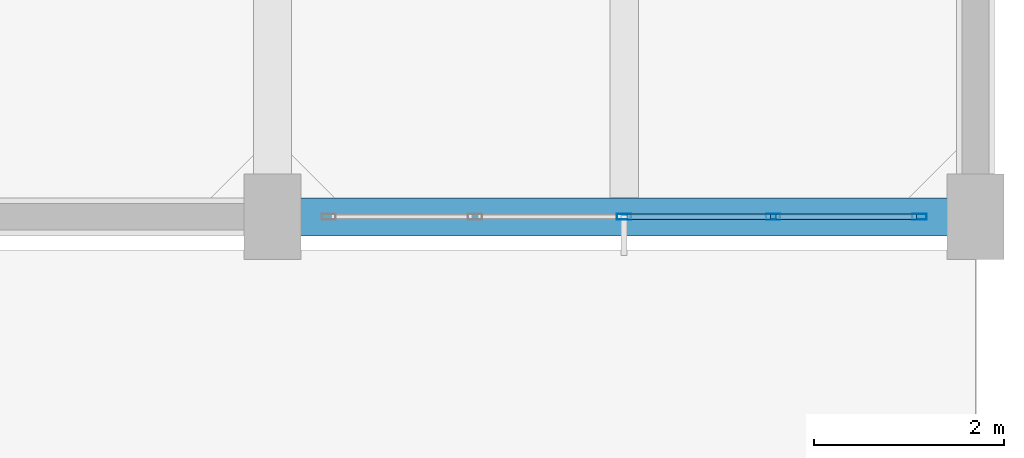
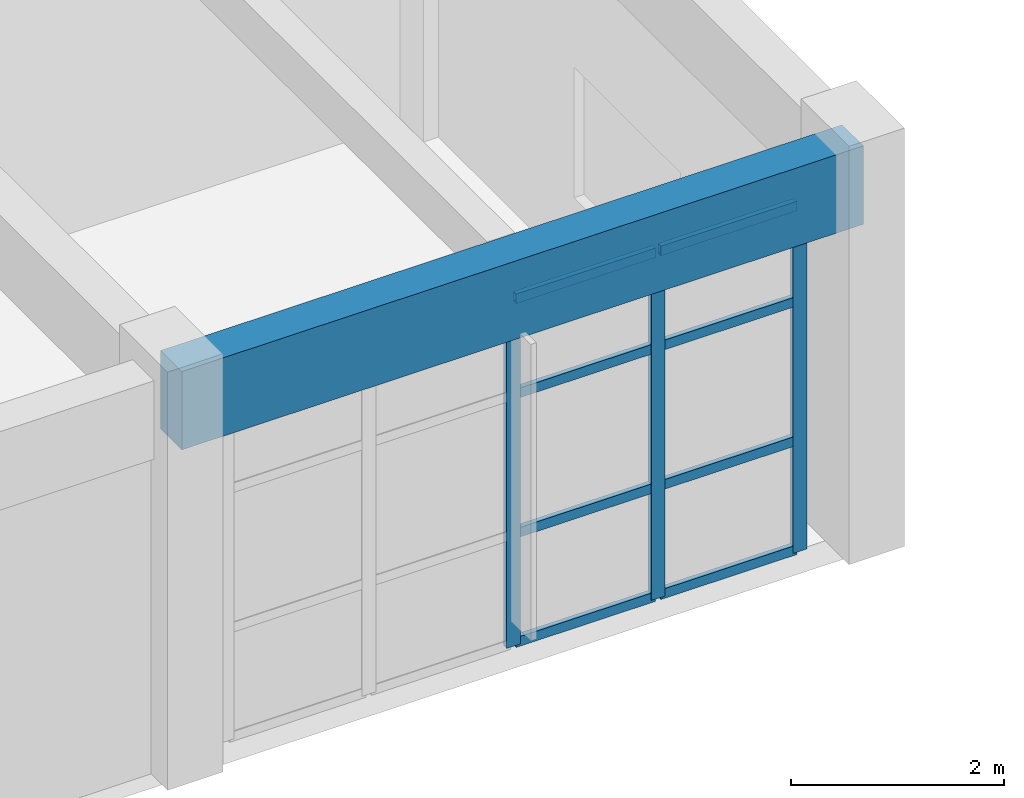
# One storey, part 26 of 63: 11 members, 1 beam, 1 element without a shape of its own.
"""IFC4 building model written with IfcOpenShell, lengths in metres."""

from ifc_helpers import new_model, si_unit, direction, frame, origin, origin_2d, place, context, subcontext, project, spatial, rectangle, hollow_rectangle, extrude, material, layer, layer_set, material_profile, profile_set, type_object, element, aggregate, save


model = new_model("IFC4")

# Units and contexts
model_context = context("Model", 3, precision=1e-05, world=origin(), true_north=direction((0.0, 1.0)))
body_context = subcontext(model_context, "Body", "Model", "MODEL_VIEW")
ifc_project = project(units=[si_unit("LENGTHUNIT", "METRE"), si_unit("AREAUNIT", "SQUARE_METRE"), si_unit("VOLUMEUNIT", "CUBIC_METRE"), si_unit("PLANEANGLEUNIT", "RADIAN"), si_unit("MASSUNIT", "GRAM", prefix="KILO")], contexts=[model_context])

# Site, building, storey
site_placement = place(None, origin())
site = spatial("IfcSite", under=ifc_project, at=site_placement, CompositionType="ELEMENT")
building_placement = place(site_placement, origin())
building = spatial("IfcBuilding", under=site, at=building_placement, Name="Canggui Botanical Conservatory", CompositionType="ELEMENT")
storey_placement = place(building_placement, frame((0.0, 0.0, 10.199951171875)))
storey = spatial("IfcBuildingStorey", under=building, at=storey_placement, Name="L03", CompositionType="ELEMENT", Elevation=10.199951171875)

# Beam
ifc_material_1 = material(Name="Concrete C35", Category="concrete")
ifc_material_profile_1 = material_profile(ifc_material_1, rectangle(XDim=0.39990234375, YDim=0.89990234375, at=origin_2d()), Name="RB 400x900")
ifc_profile_set_1 = profile_set([ifc_material_profile_1], Name="Concrete C35")
beam_type = type_object("IfcBeamType", Name="BM-KL07", PredefinedType="BEAM", material=ifc_profile_set_1)
beam_placement = place(storey_placement, frame((170.0, 26.0, 4.10009765625), z_axis=(1.0, 0.0, 0.0), x_axis=(0.0, 1.0, 0.0)))
element("IfcBeam", 1, at=beam_placement, inside=storey, type_object=beam_type, Name="Frame Girder L03 Y26-5", PredefinedType="BEAM", context=body_context, shape_type="SweptSolid", body=[
    extrude(rectangle(XDim=0.39990234375, YDim=0.89990234375, at=origin_2d()), origin(), (0.0, 0.0, 1.0), 7.39990234375),
])

# Curtain wall, members
ifc_material_2 = material(Name="Thermally Broken Aluminium", Category="aluminium")
ifc_layer = layer(ifc_material_2, 0.14990234375, Name="Thermally Broken Aluminium", Category="aluminium")
ifc_layer_set = layer_set([ifc_layer], Name="Thermally Broken Aluminium")
curtain_wall_type = type_object("IfcCurtainWallType", Name="CW-UNIT-C", PredefinedType="USERDEFINED", material=ifc_layer_set)
curtain_wall_placement = place(storey_placement, origin())
curtain_wall = element("IfcCurtainWall", 2, at=curtain_wall_placement, inside=storey, type_object=curtain_wall_type, Name="Facade Curtain Wall CW-TWR-L03-01", ObjectType="UNITISED CURTAIN WALL", PredefinedType="USERDEFINED")
ifc_material_profile_2 = material_profile(ifc_material_2, hollow_rectangle(XDim=0.06005859375, YDim=0.14990234375, WallThickness=0.00341796875, at=origin_2d()), Name="CWM 60x150x3.5")
ifc_profile_set_2 = profile_set([ifc_material_profile_2], Name="Thermally Broken Aluminium")
member_type_1 = type_object("IfcMemberType", Name="CWM-03", PredefinedType="MULLION", material=ifc_profile_set_2)
member_1_placement = place(storey_placement, frame((176.81005859375, 26.0, 0.0), z_axis=(0.0, 0.0, 1.0), x_axis=(0.0, -1.0, 0.0)))
member_1 = element("IfcMember", 3, at=member_1_placement, type_object=member_type_1, Name="CW-03 mullion 1", PredefinedType="MULLION", context=body_context, shape_type="SweptSolid", body=[
    extrude(hollow_rectangle(XDim=0.06005859375, YDim=0.14990234375, WallThickness=0.00341796875, at=origin_2d()), origin(), (0.0, 0.0, 1.0), 4.0),
])
member_2_placement = place(storey_placement, frame((175.27001953125, 26.0, 0.0), z_axis=(0.0, 0.0, 1.0), x_axis=(0.0, -1.0, 0.0)))
member_2 = element("IfcMember", 4, at=member_2_placement, type_object=member_type_1, Name="CW-03 mullion 2", PredefinedType="MULLION", context=body_context, shape_type="SweptSolid", body=[
    extrude(hollow_rectangle(XDim=0.06005859375, YDim=0.14990234375, WallThickness=0.00341796875, at=origin_2d()), origin(), (0.0, 0.0, 1.0), 4.0),
])
member_3_placement = place(storey_placement, frame((173.699951171875, 26.0, 0.0), z_axis=(0.0, 0.0, 1.0), x_axis=(0.0, -1.0, 0.0)))
member_3 = element("IfcMember", 5, at=member_3_placement, type_object=member_type_1, Name="CW-03 mullion 3", PredefinedType="MULLION", context=body_context, shape_type="SweptSolid", body=[
    extrude(hollow_rectangle(XDim=0.06005859375, YDim=0.14990234375, WallThickness=0.00341796875, at=origin_2d()), origin(), (0.0, 0.0, 1.0), 4.0),
])
ifc_material_profile_3 = material_profile(ifc_material_2, hollow_rectangle(XDim=0.054931640625, YDim=0.110107421875, WallThickness=0.0029296875, at=origin_2d()), Name="CWT 55x110x3")
ifc_profile_set_3 = profile_set([ifc_material_profile_3], Name="Thermally Broken Aluminium")
member_type_2 = type_object("IfcMemberType", Name="CWT-03", PredefinedType="USERDEFINED", material=ifc_profile_set_3)
member_4_placement = place(storey_placement, frame((176.780029296875, 26.0, 0.027587890625), z_axis=(-1.0, 0.0, 0.0), x_axis=(0.0, -1.0, 0.0)))
member_4 = element("IfcMember", 6, at=member_4_placement, type_object=member_type_2, Name="CW-03 transom 1.1", ObjectType="TRANSOM", PredefinedType="USERDEFINED", context=body_context, shape_type="SweptSolid", body=[
    extrude(hollow_rectangle(XDim=0.054931640625, YDim=0.110107421875, WallThickness=0.0029296875, at=origin_2d()), origin(), (0.0, 0.0, 1.0), 1.47998046875),
])
member_5_placement = place(storey_placement, frame((176.780029296875, 26.0, 1.280029296875), z_axis=(-1.0, 0.0, 0.0), x_axis=(0.0, -1.0, 0.0)))
member_5 = element("IfcMember", 7, at=member_5_placement, type_object=member_type_2, Name="CW-03 transom 1.2", ObjectType="TRANSOM", PredefinedType="USERDEFINED", context=body_context, shape_type="SweptSolid", body=[
    extrude(hollow_rectangle(XDim=0.054931640625, YDim=0.110107421875, WallThickness=0.0029296875, at=origin_2d()), origin(), (0.0, 0.0, 1.0), 1.47998046875),
])
member_6_placement = place(storey_placement, frame((176.780029296875, 26.0, 2.880126953125), z_axis=(-1.0, 0.0, 0.0), x_axis=(0.0, -1.0, 0.0)))
member_6 = element("IfcMember", 8, at=member_6_placement, type_object=member_type_2, Name="CW-03 transom 1.3", ObjectType="TRANSOM", PredefinedType="USERDEFINED", context=body_context, shape_type="SweptSolid", body=[
    extrude(hollow_rectangle(XDim=0.054931640625, YDim=0.110107421875, WallThickness=0.0029296875, at=origin_2d()), origin(), (0.0, 0.0, 1.0), 1.47998046875),
])
member_7_placement = place(storey_placement, frame((176.780029296875, 26.0, 3.97265625), z_axis=(-1.0, 0.0, 0.0), x_axis=(0.0, -1.0, 0.0)))
member_7 = element("IfcMember", 9, at=member_7_placement, type_object=member_type_2, Name="CW-03 transom 1.4", ObjectType="TRANSOM", PredefinedType="USERDEFINED", context=body_context, shape_type="SweptSolid", body=[
    extrude(hollow_rectangle(XDim=0.054931640625, YDim=0.110107421875, WallThickness=0.0029296875, at=origin_2d()), origin(), (0.0, 0.0, 1.0), 1.47998046875),
])
member_8_placement = place(storey_placement, frame((175.239990234375, 26.0, 0.027587890625), z_axis=(-1.0, 0.0, 0.0), x_axis=(0.0, -1.0, 0.0)))
member_8 = element("IfcMember", 10, at=member_8_placement, type_object=member_type_2, Name="CW-03 transom 2.1", ObjectType="TRANSOM", PredefinedType="USERDEFINED", context=body_context, shape_type="SweptSolid", body=[
    extrude(hollow_rectangle(XDim=0.054931640625, YDim=0.110107421875, WallThickness=0.0029296875, at=origin_2d()), origin(), (0.0, 0.0, 1.0), 1.510009765625),
])
member_9_placement = place(storey_placement, frame((175.239990234375, 26.0, 1.280029296875), z_axis=(-1.0, 0.0, 0.0), x_axis=(0.0, -1.0, 0.0)))
member_9 = element("IfcMember", 11, at=member_9_placement, type_object=member_type_2, Name="CW-03 transom 2.2", ObjectType="TRANSOM", PredefinedType="USERDEFINED", context=body_context, shape_type="SweptSolid", body=[
    extrude(hollow_rectangle(XDim=0.054931640625, YDim=0.110107421875, WallThickness=0.0029296875, at=origin_2d()), origin(), (0.0, 0.0, 1.0), 1.510009765625),
])
member_10_placement = place(storey_placement, frame((175.239990234375, 26.0, 2.880126953125), z_axis=(-1.0, 0.0, 0.0), x_axis=(0.0, -1.0, 0.0)))
member_10 = element("IfcMember", 12, at=member_10_placement, type_object=member_type_2, Name="CW-03 transom 2.3", ObjectType="TRANSOM", PredefinedType="USERDEFINED", context=body_context, shape_type="SweptSolid", body=[
    extrude(hollow_rectangle(XDim=0.054931640625, YDim=0.110107421875, WallThickness=0.0029296875, at=origin_2d()), origin(), (0.0, 0.0, 1.0), 1.510009765625),
])
member_11_placement = place(storey_placement, frame((175.239990234375, 26.0, 3.97265625), z_axis=(-1.0, 0.0, 0.0), x_axis=(0.0, -1.0, 0.0)))
member_11 = element("IfcMember", 13, at=member_11_placement, type_object=member_type_2, Name="CW-03 transom 2.4", ObjectType="TRANSOM", PredefinedType="USERDEFINED", context=body_context, shape_type="SweptSolid", body=[
    extrude(hollow_rectangle(XDim=0.054931640625, YDim=0.110107421875, WallThickness=0.0029296875, at=origin_2d()), origin(), (0.0, 0.0, 1.0), 1.510009765625),
])
aggregate(curtain_wall, [member_1, member_2, member_3, member_4, member_5, member_6, member_7, member_8, member_9, member_10, member_11])

save(model, "model.ifc")
